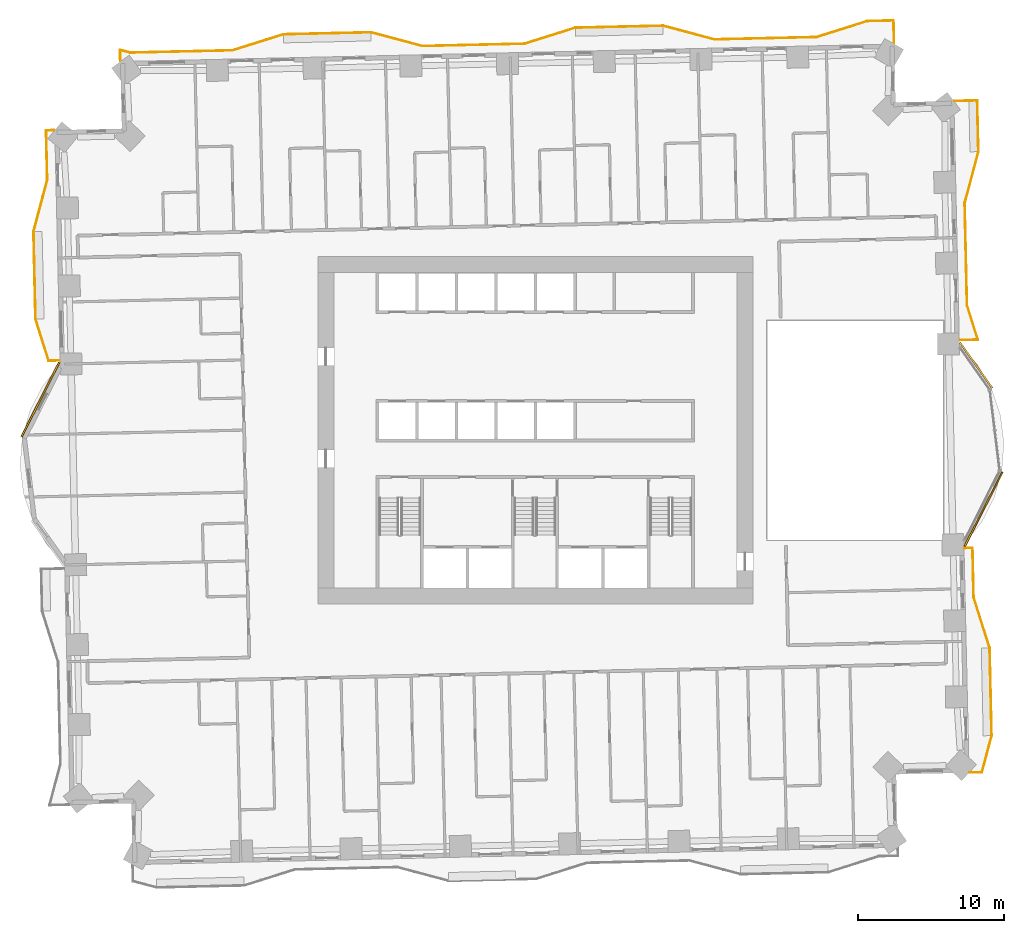
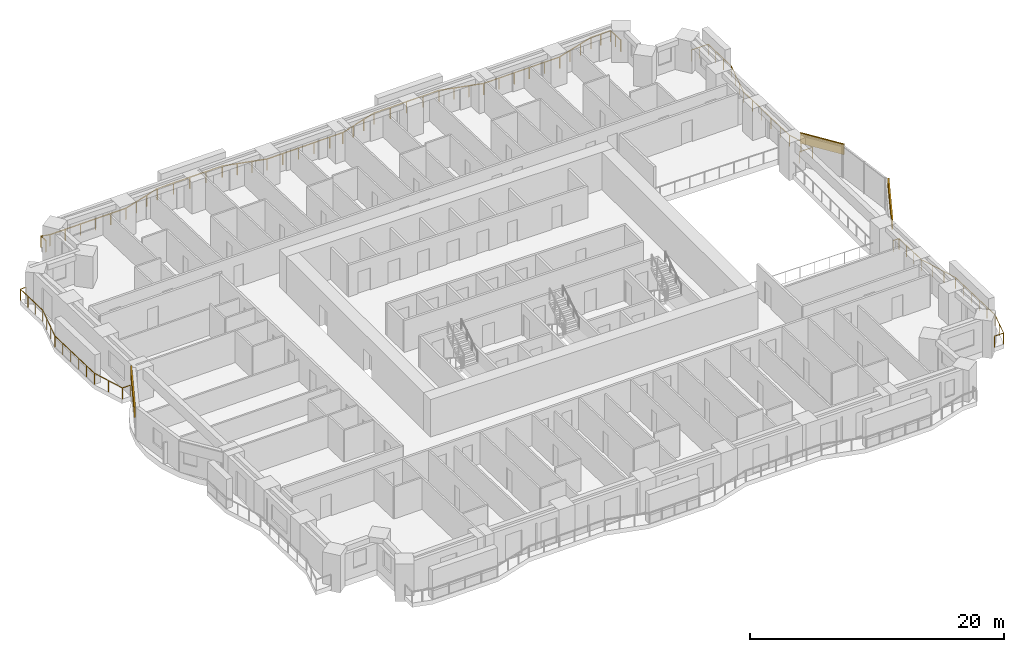
# One storey, part 16 of 16: 4 railings, 3 coverings.
"""IFC4 building model written with IfcOpenShell, lengths in metres."""

from ifc_helpers import new_model, si_unit, direction, frame, frame_2d, origin, origin_2d, place, context, subcontext, project, spatial, rectangle, extrude, material, layer, layer_set, type_object, element, save


model = new_model("IFC4")

# Units and contexts
model_context = context("Model", 3, precision=1e-05, world=origin(), true_north=direction((0.0, 1.0)))
body_context = subcontext(model_context, "Body", "Model", "MODEL_VIEW")
ifc_project = project(units=[si_unit("LENGTHUNIT", "METRE"), si_unit("AREAUNIT", "SQUARE_METRE"), si_unit("VOLUMEUNIT", "CUBIC_METRE"), si_unit("PLANEANGLEUNIT", "RADIAN"), si_unit("MASSUNIT", "GRAM", prefix="KILO")], contexts=[model_context])

# Site, building, storey
site_placement = place(None, origin())
site = spatial("IfcSite", under=ifc_project, at=site_placement, CompositionType="ELEMENT")
building_placement = place(site_placement, origin())
building = spatial("IfcBuilding", under=site, at=building_placement, Name="Mangrove Gate Tower", CompositionType="ELEMENT")
storey_placement = place(building_placement, frame((0.0, 0.0, 44.89990234375)))
storey = spatial("IfcBuildingStorey", under=building, at=storey_placement, Name="L10", CompositionType="ELEMENT", Elevation=44.89990234375)

# Railings
ifc_material_1 = material(Name="Stainless steel grade 316 with laminated glass infill", Category="steel")
railing_type = type_object("IfcRailingType", Name="Balcony guard 1100", PredefinedType="GUARDRAIL", material=ifc_material_1)
railing_1_placement = place(storey_placement, frame((29.742919921875, -23.444091796875, 0.0)))
element("IfcRailing", 1, at=railing_1_placement, inside=storey, type_object=railing_type, Name="GUARD L10 E1", PredefinedType="GUARDRAIL", context=body_context, shape_type="SweptSolid", body=[
    extrude(rectangle(XDim=0.048095703125, YDim=0.048095703125, at=origin_2d()), frame((0.0, 0.0, 1.076171875), z_axis=(0.999767219386, 0.0215756122, 0.0), x_axis=(-0.0215756122, 0.999767219386, 0.0)), (0.0, 0.0, 1.0), 0.83740234375),
    extrude(rectangle(XDim=0.048095703125, YDim=0.048095703125, at=origin_2d()), frame((0.837158203125, 0.01806640625, 1.076171875), z_axis=(0.257289130522, 0.966334467623, 0.0), x_axis=(-0.966334467623, 0.257289130522, 0.0)), (0.0, 0.0, 1.0), 2.603759765625),
    extrude(rectangle(XDim=0.048095703125, YDim=0.048095703125, at=origin_2d()), frame((1.507080078125, 2.5341796875, 1.076171875), z_axis=(-0.022662255828, 0.999743178102, 0.0), x_axis=(-0.999743178102, -0.022662255828, 0.0)), (0.0, 0.0, 1.0), 6.00048828125),
    extrude(rectangle(XDim=0.048095703125, YDim=0.048095703125, at=origin_2d()), frame((1.37109375, 8.533203125, 1.076171875), z_axis=(-0.300955047085, 0.953638327477, 0.0), x_axis=(-0.953638327477, -0.300955047085, 0.0)), (0.0, 0.0, 1.0), 3.644775390625),
    extrude(rectangle(XDim=0.048095703125, YDim=0.048095703125, at=origin_2d()), frame((0.274169921875, 12.009033203125, 1.076171875), z_axis=(-0.022570225841, 0.999745260007, 0.0), x_axis=(-0.999745260007, -0.022570225841, 0.0)), (0.0, 0.0, 1.0), 3.375),
    extrude(rectangle(XDim=0.048095703125, YDim=0.048095703125, at=origin_2d()), frame((0.197998046875, 15.383056640625, 1.076171875), z_axis=(-0.999720202773, -0.023654094083, 0.0), x_axis=(0.023654094083, -0.999720202773, 0.0)), (0.0, 0.0, 1.0), 0.547119140625),
    extrude(rectangle(XDim=0.0419921875, YDim=0.0419921875, at=origin_2d()), origin(), (0.0, 0.0, 1.0), 1.052001953125),
    extrude(rectangle(XDim=0.0419921875, YDim=0.0419921875, at=origin_2d()), frame((0.837158203125, 0.01806640625, 0.0)), (0.0, 0.0, 1.0), 1.052001953125),
    extrude(rectangle(XDim=0.0419921875, YDim=0.0419921875, at=origin_2d()), frame((1.172119140625, 1.276123046875, 0.0)), (0.0, 0.0, 1.0), 1.052001953125),
    extrude(rectangle(XDim=0.0419921875, YDim=0.0419921875, at=origin_2d()), frame((1.507080078125, 2.5341796875, 0.0)), (0.0, 0.0, 1.0), 1.052001953125),
    extrude(rectangle(XDim=0.0419921875, YDim=0.0419921875, at=origin_2d()), frame((1.47998046875, 3.73388671875, 0.0)), (0.0, 0.0, 1.0), 1.052001953125),
    extrude(rectangle(XDim=0.0419921875, YDim=0.0419921875, at=origin_2d()), frame((1.45263671875, 4.933837890625, 0.0)), (0.0, 0.0, 1.0), 1.052001953125),
    extrude(rectangle(XDim=0.0419921875, YDim=0.0419921875, at=origin_2d()), frame((1.425537109375, 6.133544921875, 0.0)), (0.0, 0.0, 1.0), 1.052001953125),
    extrude(rectangle(XDim=0.0419921875, YDim=0.0419921875, at=origin_2d()), frame((1.398193359375, 7.33349609375, 0.0)), (0.0, 0.0, 1.0), 1.052001953125),
    extrude(rectangle(XDim=0.0419921875, YDim=0.0419921875, at=origin_2d()), frame((1.37109375, 8.533203125, 0.0)), (0.0, 0.0, 1.0), 1.052001953125),
    extrude(rectangle(XDim=0.0419921875, YDim=0.0419921875, at=origin_2d()), frame((1.00537109375, 9.69189453125, 0.0)), (0.0, 0.0, 1.0), 1.052001953125),
    extrude(rectangle(XDim=0.0419921875, YDim=0.0419921875, at=origin_2d()), frame((0.639892578125, 10.850341796875, 0.0)), (0.0, 0.0, 1.0), 1.052001953125),
    extrude(rectangle(XDim=0.0419921875, YDim=0.0419921875, at=origin_2d()), frame((0.274169921875, 12.009033203125, 0.0)), (0.0, 0.0, 1.0), 1.052001953125),
    extrude(rectangle(XDim=0.0419921875, YDim=0.0419921875, at=origin_2d()), frame((0.248779296875, 13.1337890625, 0.0)), (0.0, 0.0, 1.0), 1.052001953125),
    extrude(rectangle(XDim=0.0419921875, YDim=0.0419921875, at=origin_2d()), frame((0.223388671875, 14.25830078125, 0.0)), (0.0, 0.0, 1.0), 1.052001953125),
    extrude(rectangle(XDim=0.0419921875, YDim=0.0419921875, at=origin_2d()), frame((0.197998046875, 15.383056640625, 0.0)), (0.0, 0.0, 1.0), 1.052001953125),
    extrude(rectangle(XDim=0.0419921875, YDim=0.0419921875, at=origin_2d()), frame((-0.348876953125, 15.3701171875, 0.0)), (0.0, 0.0, 1.0), 1.052001953125),
])
railing_2_placement = place(storey_placement, frame((29.070068359375, 6.173095703125, 0.0)))
element("IfcRailing", 2, at=railing_2_placement, inside=storey, type_object=railing_type, Name="GUARD L10 E2", PredefinedType="GUARDRAIL", context=body_context, shape_type="SweptSolid", body=[
    extrude(rectangle(XDim=0.048095703125, YDim=0.048095703125, at=origin_2d()), frame((0.0, 0.0, 1.076171875), z_axis=(0.999746904493, 0.022497265518, 0.0), x_axis=(-0.022497265518, 0.999746904493, 0.0)), (0.0, 0.0, 1.0), 1.237060546875),
    extrude(rectangle(XDim=0.048095703125, YDim=0.048095703125, at=origin_2d()), frame((1.23681640625, 0.02783203125, 1.076171875), z_axis=(-0.300729840746, 0.953709370241, 0.0), x_axis=(-0.953709370241, -0.300729840746, 0.0)), (0.0, 0.0, 1.0), 2.4736328125),
    extrude(rectangle(XDim=0.048095703125, YDim=0.048095703125, at=origin_2d()), frame((0.492919921875, 2.386962890625, 1.076171875), z_axis=(-0.022566119286, 0.999745352708, 0.0), x_axis=(-0.999745352708, -0.022566119286, 0.0)), (0.0, 0.0, 1.0), 6.999755859375),
    extrude(rectangle(XDim=0.048095703125, YDim=0.048095703125, at=origin_2d()), frame((0.3349609375, 9.385009765625, 1.076171875), z_axis=(0.257103902287, 0.966383766125, 0.0), x_axis=(-0.966383766125, 0.257103902287, 0.0)), (0.0, 0.0, 1.0), 3.64453125),
    extrude(rectangle(XDim=0.048095703125, YDim=0.048095703125, at=origin_2d()), frame((1.27197265625, 12.906982421875, 1.076171875), z_axis=(-0.022600979566, 0.999744565238, 0.0), x_axis=(-0.999744565238, -0.022600979566, 0.0)), (0.0, 0.0, 1.0), 3.5),
    extrude(rectangle(XDim=0.048095703125, YDim=0.048095703125, at=origin_2d()), frame((1.19287109375, 16.406005859375, 1.076171875), z_axis=(-0.999747444651, -0.022473248834, 0.0), x_axis=(0.022473248834, -0.999747444651, 0.0)), (0.0, 0.0, 1.0), 1.564453125),
    extrude(rectangle(XDim=0.0419921875, YDim=0.0419921875, at=origin_2d()), origin(), (0.0, 0.0, 1.0), 1.052001953125),
    extrude(rectangle(XDim=0.0419921875, YDim=0.0419921875, at=origin_2d()), frame((1.23681640625, 0.02783203125, 0.0)), (0.0, 0.0, 1.0), 1.052001953125),
    extrude(rectangle(XDim=0.0419921875, YDim=0.0419921875, at=origin_2d()), frame((0.86474609375, 1.20751953125, 0.0)), (0.0, 0.0, 1.0), 1.052001953125),
    extrude(rectangle(XDim=0.0419921875, YDim=0.0419921875, at=origin_2d()), frame((0.492919921875, 2.386962890625, 0.0)), (0.0, 0.0, 1.0), 1.052001953125),
    extrude(rectangle(XDim=0.0419921875, YDim=0.0419921875, at=origin_2d()), frame((0.46142578125, 3.78662109375, 0.0)), (0.0, 0.0, 1.0), 1.052001953125),
    extrude(rectangle(XDim=0.0419921875, YDim=0.0419921875, at=origin_2d()), frame((0.4296875, 5.186279296875, 0.0)), (0.0, 0.0, 1.0), 1.052001953125),
    extrude(rectangle(XDim=0.0419921875, YDim=0.0419921875, at=origin_2d()), frame((0.398193359375, 6.585693359375, 0.0)), (0.0, 0.0, 1.0), 1.052001953125),
    extrude(rectangle(XDim=0.0419921875, YDim=0.0419921875, at=origin_2d()), frame((0.366455078125, 7.9853515625, 0.0)), (0.0, 0.0, 1.0), 1.052001953125),
    extrude(rectangle(XDim=0.0419921875, YDim=0.0419921875, at=origin_2d()), frame((0.3349609375, 9.385009765625, 0.0)), (0.0, 0.0, 1.0), 1.052001953125),
    extrude(rectangle(XDim=0.0419921875, YDim=0.0419921875, at=origin_2d()), frame((0.647216796875, 10.55908203125, 0.0)), (0.0, 0.0, 1.0), 1.052001953125),
    extrude(rectangle(XDim=0.0419921875, YDim=0.0419921875, at=origin_2d()), frame((0.959716796875, 11.73291015625, 0.0)), (0.0, 0.0, 1.0), 1.052001953125),
    extrude(rectangle(XDim=0.0419921875, YDim=0.0419921875, at=origin_2d()), frame((1.27197265625, 12.906982421875, 0.0)), (0.0, 0.0, 1.0), 1.052001953125),
    extrude(rectangle(XDim=0.0419921875, YDim=0.0419921875, at=origin_2d()), frame((1.24560546875, 14.0732421875, 0.0)), (0.0, 0.0, 1.0), 1.052001953125),
    extrude(rectangle(XDim=0.0419921875, YDim=0.0419921875, at=origin_2d()), frame((1.21923828125, 15.23974609375, 0.0)), (0.0, 0.0, 1.0), 1.052001953125),
    extrude(rectangle(XDim=0.0419921875, YDim=0.0419921875, at=origin_2d()), frame((1.19287109375, 16.406005859375, 0.0)), (0.0, 0.0, 1.0), 1.052001953125),
    extrude(rectangle(XDim=0.0419921875, YDim=0.0419921875, at=origin_2d()), frame((0.410888671875, 16.388427734375, 0.0)), (0.0, 0.0, 1.0), 1.052001953125),
    extrude(rectangle(XDim=0.0419921875, YDim=0.0419921875, at=origin_2d()), frame((-0.37109375, 16.370849609375, 0.0)), (0.0, 0.0, 1.0), 1.052001953125),
])
railing_3_placement = place(storey_placement, frame((24.568115234375, 26.490966796875, 0.0)))
element("IfcRailing", 3, at=railing_3_placement, inside=storey, type_object=railing_type, Name="GUARD L10 N1", PredefinedType="GUARDRAIL", context=body_context, shape_type="SweptSolid", body=[
    extrude(rectangle(XDim=0.048095703125, YDim=0.048095703125, at=origin_2d()), frame((0.0, 0.0, 1.076171875), z_axis=(-0.022473248834, 0.999747444651, 0.0), x_axis=(-0.999747444651, -0.022473248834, 0.0)), (0.0, 0.0, 1.0), 1.564453125),
    extrude(rectangle(XDim=0.048095703125, YDim=0.048095703125, at=origin_2d()), frame((-0.03515625, 1.56396484375, 1.076171875), z_axis=(-0.999740503785, -0.022779927389, 0.0), x_axis=(0.022779927389, -0.999740503785, 0.0)), (0.0, 0.0, 1.0), 1.800537109375),
    extrude(rectangle(XDim=0.048095703125, YDim=0.048095703125, at=origin_2d()), frame((-1.835205078125, 1.52294921875, 1.076171875), z_axis=(-0.953715199742, -0.300711352929, 0.0), x_axis=(0.300711352929, -0.953715199742, 0.0)), (0.0, 0.0, 1.0), 3.64453125),
    extrude(rectangle(XDim=0.048095703125, YDim=0.048095703125, at=origin_2d()), frame((-5.31103515625, 0.427001953125, 1.076171875), z_axis=(-0.999742195543, -0.022705559911, 0.0), x_axis=(0.022705559911, -0.999742195543, 0.0)), (0.0, 0.0, 1.0), 6.999755859375),
    extrude(rectangle(XDim=0.048095703125, YDim=0.048095703125, at=origin_2d()), frame((-12.30908203125, 0.26806640625, 1.076171875), z_axis=(-0.966317161661, 0.257354119999, 0.0), x_axis=(-0.257354119999, -0.966317161661, 0.0)), (0.0, 0.0, 1.0), 3.644775390625),
    extrude(rectangle(XDim=0.048095703125, YDim=0.048095703125, at=origin_2d()), frame((-15.8310546875, 1.2060546875, 1.076171875), z_axis=(-0.999739392852, -0.022828630714, 0.0), x_axis=(0.022828630714, -0.999739392852, 0.0)), (0.0, 0.0, 1.0), 5.99951171875),
    extrude(rectangle(XDim=0.048095703125, YDim=0.048095703125, at=origin_2d()), frame((-21.8291015625, 1.069091796875, 1.076171875), z_axis=(-0.953745473185, -0.300615322927, 0.0), x_axis=(0.300615322927, -0.953745473185, 0.0)), (0.0, 0.0, 1.0), 3.645751953125),
    extrude(rectangle(XDim=0.048095703125, YDim=0.048095703125, at=origin_2d()), frame((-25.30615234375, -0.02685546875, 1.076171875), z_axis=(-0.999744665362, -0.022596550164, 0.0), x_axis=(0.022596550164, -0.999744665362, 0.0)), (0.0, 0.0, 1.0), 1.19921875),
    extrude(rectangle(XDim=0.048095703125, YDim=0.048095703125, at=origin_2d()), frame((-26.505126953125, -0.053955078125, 1.076171875), z_axis=(-0.999740726178, -0.022770165152, 0.0), x_axis=(0.022770165152, -0.999740726178, 0.0)), (0.0, 0.0, 1.0), 5.800537109375),
    extrude(rectangle(XDim=0.048095703125, YDim=0.048095703125, at=origin_2d()), frame((-32.30419921875, -0.18603515625, 1.076171875), z_axis=(-0.966317161661, 0.257354119999, 0.0), x_axis=(-0.257354119999, -0.966317161661, 0.0)), (0.0, 0.0, 1.0), 3.644775390625),
    extrude(rectangle(XDim=0.048095703125, YDim=0.048095703125, at=origin_2d()), frame((-35.826171875, 0.751953125, 1.076171875), z_axis=(-0.999743094499, -0.022665943652, 0.0), x_axis=(0.022665943652, -0.999743094499, 0.0)), (0.0, 0.0, 1.0), 5.99951171875),
    extrude(rectangle(XDim=0.048095703125, YDim=0.048095703125, at=origin_2d()), frame((-41.82421875, 0.615966796875, 1.076171875), z_axis=(-0.953638327477, -0.300955047085, 0.0), x_axis=(0.300955047085, -0.953638327477, 0.0)), (0.0, 0.0, 1.0), 3.644775390625),
    extrude(rectangle(XDim=0.048095703125, YDim=0.048095703125, at=origin_2d()), frame((-45.300048828125, -0.48095703125, 1.076171875), z_axis=(-0.999742267452, -0.022702393474, 0.0), x_axis=(0.022702393474, -0.999742267452, 0.0)), (0.0, 0.0, 1.0), 7.000732421875),
    extrude(rectangle(XDim=0.048095703125, YDim=0.048095703125, at=origin_2d()), frame((-52.299072265625, -0.639892578125, 1.076171875), z_axis=(-0.966157051808, 0.257954552667, 0.0), x_axis=(-0.257954552667, -0.966157051808, 0.0)), (0.0, 0.0, 1.0), 0.728759765625),
    extrude(rectangle(XDim=0.048095703125, YDim=0.048095703125, at=origin_2d()), frame((-53.003173828125, -0.451904296875, 1.076171875), z_axis=(0.022780545013, -0.999740489712, 0.0), x_axis=(0.999740489712, 0.022780545013, 0.0)), (0.0, 0.0, 1.0), 0.750244140625),
    extrude(rectangle(XDim=0.0419921875, YDim=0.0419921875, at=origin_2d()), origin(), (0.0, 0.0, 1.0), 1.052001953125),
    extrude(rectangle(XDim=0.0419921875, YDim=0.0419921875, at=origin_2d()), frame((-0.017578125, 0.781982421875, 0.0)), (0.0, 0.0, 1.0), 1.052001953125),
    extrude(rectangle(XDim=0.0419921875, YDim=0.0419921875, at=origin_2d()), frame((-0.03515625, 1.56396484375, 0.0)), (0.0, 0.0, 1.0), 1.052001953125),
    extrude(rectangle(XDim=0.0419921875, YDim=0.0419921875, at=origin_2d()), frame((-0.93505859375, 1.54345703125, 0.0)), (0.0, 0.0, 1.0), 1.052001953125),
    extrude(rectangle(XDim=0.0419921875, YDim=0.0419921875, at=origin_2d()), frame((-1.835205078125, 1.52294921875, 0.0)), (0.0, 0.0, 1.0), 1.052001953125),
    extrude(rectangle(XDim=0.0419921875, YDim=0.0419921875, at=origin_2d()), frame((-2.993896484375, 1.15771484375, 0.0)), (0.0, 0.0, 1.0), 1.052001953125),
    extrude(rectangle(XDim=0.0419921875, YDim=0.0419921875, at=origin_2d()), frame((-4.15234375, 0.792236328125, 0.0)), (0.0, 0.0, 1.0), 1.052001953125),
    extrude(rectangle(XDim=0.0419921875, YDim=0.0419921875, at=origin_2d()), frame((-5.31103515625, 0.427001953125, 0.0)), (0.0, 0.0, 1.0), 1.052001953125),
    extrude(rectangle(XDim=0.0419921875, YDim=0.0419921875, at=origin_2d()), frame((-6.710693359375, 0.395263671875, 0.0)), (0.0, 0.0, 1.0), 1.052001953125),
    extrude(rectangle(XDim=0.0419921875, YDim=0.0419921875, at=origin_2d()), frame((-8.1103515625, 0.363525390625, 0.0)), (0.0, 0.0, 1.0), 1.052001953125),
    extrude(rectangle(XDim=0.0419921875, YDim=0.0419921875, at=origin_2d()), frame((-9.509765625, 0.33154296875, 0.0)), (0.0, 0.0, 1.0), 1.052001953125),
    extrude(rectangle(XDim=0.0419921875, YDim=0.0419921875, at=origin_2d()), frame((-10.909423828125, 0.2998046875, 0.0)), (0.0, 0.0, 1.0), 1.052001953125),
    extrude(rectangle(XDim=0.0419921875, YDim=0.0419921875, at=origin_2d()), frame((-12.30908203125, 0.26806640625, 0.0)), (0.0, 0.0, 1.0), 1.052001953125),
    extrude(rectangle(XDim=0.0419921875, YDim=0.0419921875, at=origin_2d()), frame((-13.483154296875, 0.580810546875, 0.0)), (0.0, 0.0, 1.0), 1.052001953125),
    extrude(rectangle(XDim=0.0419921875, YDim=0.0419921875, at=origin_2d()), frame((-14.656982421875, 0.893310546875, 0.0)), (0.0, 0.0, 1.0), 1.052001953125),
    extrude(rectangle(XDim=0.0419921875, YDim=0.0419921875, at=origin_2d()), frame((-15.8310546875, 1.2060546875, 0.0)), (0.0, 0.0, 1.0), 1.052001953125),
    extrude(rectangle(XDim=0.0419921875, YDim=0.0419921875, at=origin_2d()), frame((-17.33056640625, 1.171875, 0.0)), (0.0, 0.0, 1.0), 1.052001953125),
    extrude(rectangle(XDim=0.0419921875, YDim=0.0419921875, at=origin_2d()), frame((-18.830078125, 1.1376953125, 0.0)), (0.0, 0.0, 1.0), 1.052001953125),
    extrude(rectangle(XDim=0.0419921875, YDim=0.0419921875, at=origin_2d()), frame((-20.32958984375, 1.103271484375, 0.0)), (0.0, 0.0, 1.0), 1.052001953125),
    extrude(rectangle(XDim=0.0419921875, YDim=0.0419921875, at=origin_2d()), frame((-21.8291015625, 1.069091796875, 0.0)), (0.0, 0.0, 1.0), 1.052001953125),
    extrude(rectangle(XDim=0.0419921875, YDim=0.0419921875, at=origin_2d()), frame((-22.988037109375, 0.703857421875, 0.0)), (0.0, 0.0, 1.0), 1.052001953125),
    extrude(rectangle(XDim=0.0419921875, YDim=0.0419921875, at=origin_2d()), frame((-24.147216796875, 0.33837890625, 0.0)), (0.0, 0.0, 1.0), 1.052001953125),
    extrude(rectangle(XDim=0.0419921875, YDim=0.0419921875, at=origin_2d()), frame((-25.30615234375, -0.02685546875, 0.0)), (0.0, 0.0, 1.0), 1.052001953125),
    extrude(rectangle(XDim=0.0419921875, YDim=0.0419921875, at=origin_2d()), frame((-26.505126953125, -0.053955078125, 0.0)), (0.0, 0.0, 1.0), 1.052001953125),
    extrude(rectangle(XDim=0.0419921875, YDim=0.0419921875, at=origin_2d()), frame((-27.954833984375, -0.0869140625, 0.0)), (0.0, 0.0, 1.0), 1.052001953125),
    extrude(rectangle(XDim=0.0419921875, YDim=0.0419921875, at=origin_2d()), frame((-29.40478515625, -0.1201171875, 0.0)), (0.0, 0.0, 1.0), 1.052001953125),
    extrude(rectangle(XDim=0.0419921875, YDim=0.0419921875, at=origin_2d()), frame((-30.8544921875, -0.153076171875, 0.0)), (0.0, 0.0, 1.0), 1.052001953125),
    extrude(rectangle(XDim=0.0419921875, YDim=0.0419921875, at=origin_2d()), frame((-32.30419921875, -0.18603515625, 0.0)), (0.0, 0.0, 1.0), 1.052001953125),
    extrude(rectangle(XDim=0.0419921875, YDim=0.0419921875, at=origin_2d()), frame((-33.478271484375, 0.126708984375, 0.0)), (0.0, 0.0, 1.0), 1.052001953125),
    extrude(rectangle(XDim=0.0419921875, YDim=0.0419921875, at=origin_2d()), frame((-34.652099609375, 0.439208984375, 0.0)), (0.0, 0.0, 1.0), 1.052001953125),
    extrude(rectangle(XDim=0.0419921875, YDim=0.0419921875, at=origin_2d()), frame((-35.826171875, 0.751953125, 0.0)), (0.0, 0.0, 1.0), 1.052001953125),
    extrude(rectangle(XDim=0.0419921875, YDim=0.0419921875, at=origin_2d()), frame((-37.32568359375, 0.718017578125, 0.0)), (0.0, 0.0, 1.0), 1.052001953125),
    extrude(rectangle(XDim=0.0419921875, YDim=0.0419921875, at=origin_2d()), frame((-38.8251953125, 0.68408203125, 0.0)), (0.0, 0.0, 1.0), 1.052001953125),
    extrude(rectangle(XDim=0.0419921875, YDim=0.0419921875, at=origin_2d()), frame((-40.32470703125, 0.64990234375, 0.0)), (0.0, 0.0, 1.0), 1.052001953125),
    extrude(rectangle(XDim=0.0419921875, YDim=0.0419921875, at=origin_2d()), frame((-41.82421875, 0.615966796875, 0.0)), (0.0, 0.0, 1.0), 1.052001953125),
    extrude(rectangle(XDim=0.0419921875, YDim=0.0419921875, at=origin_2d()), frame((-42.98291015625, 0.250244140625, 0.0)), (0.0, 0.0, 1.0), 1.052001953125),
    extrude(rectangle(XDim=0.0419921875, YDim=0.0419921875, at=origin_2d()), frame((-44.141357421875, -0.115234375, 0.0)), (0.0, 0.0, 1.0), 1.052001953125),
    extrude(rectangle(XDim=0.0419921875, YDim=0.0419921875, at=origin_2d()), frame((-45.300048828125, -0.48095703125, 0.0)), (0.0, 0.0, 1.0), 1.052001953125),
    extrude(rectangle(XDim=0.0419921875, YDim=0.0419921875, at=origin_2d()), frame((-46.699951171875, -0.5126953125, 0.0)), (0.0, 0.0, 1.0), 1.052001953125),
    extrude(rectangle(XDim=0.0419921875, YDim=0.0419921875, at=origin_2d()), frame((-48.099609375, -0.54443359375, 0.0)), (0.0, 0.0, 1.0), 1.052001953125),
    extrude(rectangle(XDim=0.0419921875, YDim=0.0419921875, at=origin_2d()), frame((-49.49951171875, -0.576416015625, 0.0)), (0.0, 0.0, 1.0), 1.052001953125),
    extrude(rectangle(XDim=0.0419921875, YDim=0.0419921875, at=origin_2d()), frame((-50.899169921875, -0.608154296875, 0.0)), (0.0, 0.0, 1.0), 1.052001953125),
    extrude(rectangle(XDim=0.0419921875, YDim=0.0419921875, at=origin_2d()), frame((-52.299072265625, -0.639892578125, 0.0)), (0.0, 0.0, 1.0), 1.052001953125),
    extrude(rectangle(XDim=0.0419921875, YDim=0.0419921875, at=origin_2d()), frame((-53.003173828125, -0.451904296875, 0.0)), (0.0, 0.0, 1.0), 1.052001953125),
    extrude(rectangle(XDim=0.0419921875, YDim=0.0419921875, at=origin_2d()), frame((-52.986083984375, -1.201904296875, 0.0)), (0.0, 0.0, 1.0), 1.052001953125),
])
railing_4_placement = place(storey_placement, frame((-32.951904296875, 20.5439453125, 0.0)))
element("IfcRailing", 4, at=railing_4_placement, inside=storey, type_object=railing_type, Name="GUARD L10 W1", PredefinedType="GUARDRAIL", context=body_context, shape_type="SweptSolid", body=[
    extrude(rectangle(XDim=0.048095703125, YDim=0.048095703125, at=origin_2d()), frame((0.0, 0.0, 1.076171875), z_axis=(-0.999760186322, -0.021899083205, 0.0), x_axis=(0.021899083205, -0.999760186322, 0.0)), (0.0, 0.0, 1.0), 0.54638671875),
    extrude(rectangle(XDim=0.048095703125, YDim=0.048095703125, at=origin_2d()), frame((-0.546142578125, -0.011962890625, 1.076171875), z_axis=(0.022692043583, -0.999742502427, 0.0), x_axis=(0.999742502427, 0.022692043583, 0.0)), (0.0, 0.0, 1.0), 3.39990234375),
    extrude(rectangle(XDim=0.048095703125, YDim=0.048095703125, at=origin_2d()), frame((-0.468994140625, -3.410888671875, 1.076171875), z_axis=(-0.257354119999, -0.966317161661, 0.0), x_axis=(0.966317161661, -0.257354119999, 0.0)), (0.0, 0.0, 1.0), 3.644775390625),
    extrude(rectangle(XDim=0.048095703125, YDim=0.048095703125, at=origin_2d()), frame((-1.406982421875, -6.932861328125, 1.076171875), z_axis=(0.022662255828, -0.999743178102, 0.0), x_axis=(0.999743178102, 0.022662255828, 0.0)), (0.0, 0.0, 1.0), 6.00048828125),
    extrude(rectangle(XDim=0.048095703125, YDim=0.048095703125, at=origin_2d()), frame((-1.27099609375, -12.931884765625, 1.076171875), z_axis=(0.300920603386, -0.953649196748, 0.0), x_axis=(0.953649196748, 0.300920603386, 0.0)), (0.0, 0.0, 1.0), 2.99365234375),
    extrude(rectangle(XDim=0.048095703125, YDim=0.048095703125, at=origin_2d()), frame((-0.3701171875, -15.786865234375, 1.076171875), z_axis=(0.999732404653, 0.023132641154, 0.0), x_axis=(-0.023132641154, 0.999732404653, 0.0)), (0.0, 0.0, 1.0), 0.728271484375),
    extrude(rectangle(XDim=0.0419921875, YDim=0.0419921875, at=origin_2d()), origin(), (0.0, 0.0, 1.0), 1.052001953125),
    extrude(rectangle(XDim=0.0419921875, YDim=0.0419921875, at=origin_2d()), frame((-0.546142578125, -0.011962890625, 0.0)), (0.0, 0.0, 1.0), 1.052001953125),
    extrude(rectangle(XDim=0.0419921875, YDim=0.0419921875, at=origin_2d()), frame((-0.5205078125, -1.14501953125, 0.0)), (0.0, 0.0, 1.0), 1.052001953125),
    extrude(rectangle(XDim=0.0419921875, YDim=0.0419921875, at=origin_2d()), frame((-0.49462890625, -2.27783203125, 0.0)), (0.0, 0.0, 1.0), 1.052001953125),
    extrude(rectangle(XDim=0.0419921875, YDim=0.0419921875, at=origin_2d()), frame((-0.468994140625, -3.410888671875, 0.0)), (0.0, 0.0, 1.0), 1.052001953125),
    extrude(rectangle(XDim=0.0419921875, YDim=0.0419921875, at=origin_2d()), frame((-0.78173828125, -4.5849609375, 0.0)), (0.0, 0.0, 1.0), 1.052001953125),
    extrude(rectangle(XDim=0.0419921875, YDim=0.0419921875, at=origin_2d()), frame((-1.09423828125, -5.7587890625, 0.0)), (0.0, 0.0, 1.0), 1.052001953125),
    extrude(rectangle(XDim=0.0419921875, YDim=0.0419921875, at=origin_2d()), frame((-1.406982421875, -6.932861328125, 0.0)), (0.0, 0.0, 1.0), 1.052001953125),
    extrude(rectangle(XDim=0.0419921875, YDim=0.0419921875, at=origin_2d()), frame((-1.3798828125, -8.132568359375, 0.0)), (0.0, 0.0, 1.0), 1.052001953125),
    extrude(rectangle(XDim=0.0419921875, YDim=0.0419921875, at=origin_2d()), frame((-1.3525390625, -9.33251953125, 0.0)), (0.0, 0.0, 1.0), 1.052001953125),
    extrude(rectangle(XDim=0.0419921875, YDim=0.0419921875, at=origin_2d()), frame((-1.325439453125, -10.5322265625, 0.0)), (0.0, 0.0, 1.0), 1.052001953125),
    extrude(rectangle(XDim=0.0419921875, YDim=0.0419921875, at=origin_2d()), frame((-1.298095703125, -11.732177734375, 0.0)), (0.0, 0.0, 1.0), 1.052001953125),
    extrude(rectangle(XDim=0.0419921875, YDim=0.0419921875, at=origin_2d()), frame((-1.27099609375, -12.931884765625, 0.0)), (0.0, 0.0, 1.0), 1.052001953125),
    extrude(rectangle(XDim=0.0419921875, YDim=0.0419921875, at=origin_2d()), frame((-0.820556640625, -14.359375, 0.0)), (0.0, 0.0, 1.0), 1.052001953125),
    extrude(rectangle(XDim=0.0419921875, YDim=0.0419921875, at=origin_2d()), frame((-0.3701171875, -15.786865234375, 0.0)), (0.0, 0.0, 1.0), 1.052001953125),
    extrude(rectangle(XDim=0.0419921875, YDim=0.0419921875, at=origin_2d()), frame((0.35791015625, -15.77001953125, 0.0)), (0.0, 0.0, 1.0), 1.052001953125),
])

# Coverings
ifc_material_2 = material(Name="Limestone", Category="masonry")
ifc_layer_1 = layer(ifc_material_2, 0.0400390625, Name="Limestone cladding")
ifc_material_3 = material(Name="Stainless steel anchors and cavity", Category="steel")
ifc_layer_2 = layer(ifc_material_3, 0.080078125, Name="Fixing cavity")
ifc_layer_set = layer_set([ifc_layer_1, ifc_layer_2], Name="Joint fascia cladding 120")
covering_type = type_object("IfcCoveringType", Name="Joint fascia cladding 120", PredefinedType="CLADDING", material=ifc_layer_set)
covering_1_placement = place(storey_placement, frame((29.401123046875, -7.947509765625, 2.050048828125), z_axis=(0.0, 0.0, 1.0), x_axis=(0.452615399326, 0.89170583731, 0.0)))
element("IfcCovering", 5, at=covering_1_placement, inside=storey, type_object=covering_type, Name="STONE FASCIA L10 E1.L1", PredefinedType="CLADDING", context=body_context, shape_type="SweptSolid", body=[
    extrude(rectangle(XDim=5.7041015625, YDim=0.1201171875, at=frame_2d((2.85205078125, 0.0))), origin(), (0.0, 0.0, 1.0), 1.0),
])
covering_2_placement = place(storey_placement, frame((31.285888671875, 2.886962890625, 2.050048828125), z_axis=(0.0, 0.0, 1.0), x_axis=(-0.578168098379, 0.815917673553, 0.0)))
element("IfcCovering", 6, at=covering_2_placement, inside=storey, type_object=covering_type, Name="STONE FASCIA L10 E1.L2", PredefinedType="CLADDING", context=body_context, shape_type="SweptSolid", body=[
    extrude(rectangle(XDim=3.819091796875, YDim=0.1201171875, at=frame_2d((1.90966796875, 0.0))), origin(), (0.0, 0.0, 1.0), 1.0),
])
covering_3_placement = place(storey_placement, frame((-32.601318359375, 4.6474609375, 2.050048828125), z_axis=(0.0, 0.0, 1.0), x_axis=(-0.452615399326, -0.89170583731, 0.0)))
element("IfcCovering", 7, at=covering_3_placement, inside=storey, type_object=covering_type, Name="STONE FASCIA L10 W9.L1", PredefinedType="CLADDING", context=body_context, shape_type="SweptSolid", body=[
    extrude(rectangle(XDim=5.7041015625, YDim=0.1201171875, at=frame_2d((2.85205078125, 0.0))), origin(), (0.0, 0.0, 1.0), 1.0),
])

save(model, "model.ifc")
